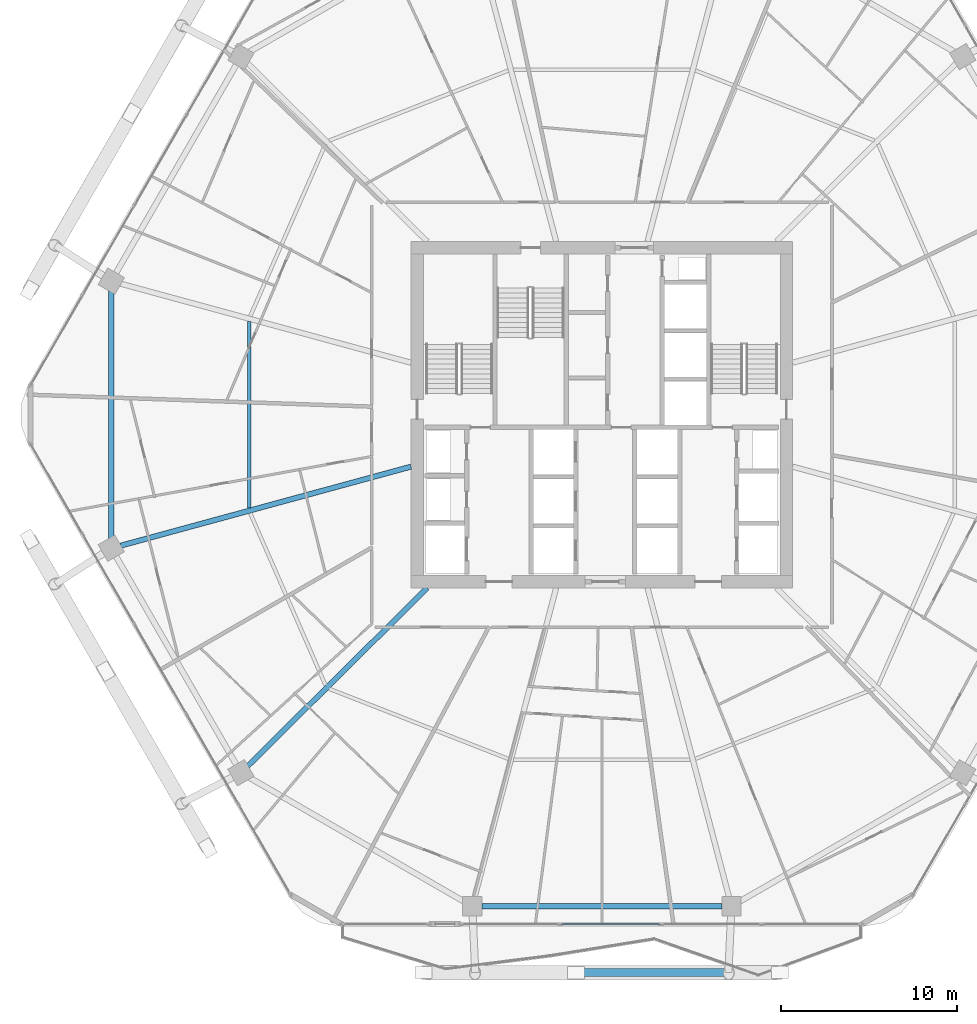
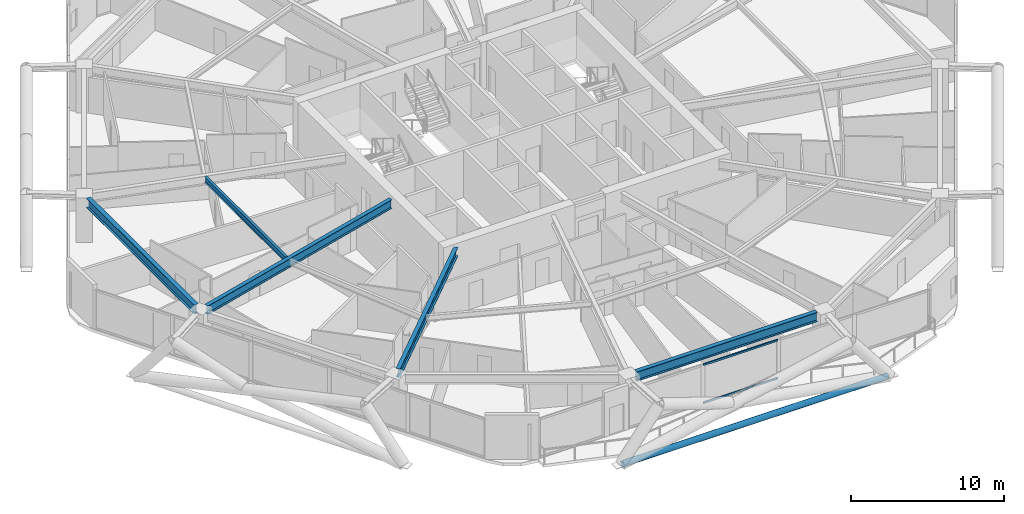
# One storey, part 7 of 35: 5 beams, 3 members, 1 element without a shape of its own.
"""IFC4 building model written with IfcOpenShell, lengths in metres."""

from ifc_helpers import new_model, si_unit, direction, frame, origin, origin_2d, place, context, subcontext, project, spatial, hollow_rectangle, hollow_circle, i_section, extrude, material, material_profile, profile_set, type_object, element, aggregate, save


model = new_model("IFC4")

# Units and contexts
model_context = context("Model", 3, precision=1e-05, world=origin(), true_north=direction((0.0, 1.0)))
body_context = subcontext(model_context, "Body", "Model", "MODEL_VIEW")
ifc_project = project(units=[si_unit("LENGTHUNIT", "METRE"), si_unit("AREAUNIT", "SQUARE_METRE"), si_unit("VOLUMEUNIT", "CUBIC_METRE"), si_unit("PLANEANGLEUNIT", "RADIAN"), si_unit("MASSUNIT", "GRAM", prefix="KILO")], contexts=[model_context])

# Site, building, storey
site_placement = place(None, origin())
site = spatial("IfcSite", under=ifc_project, at=site_placement, CompositionType="ELEMENT")
building_placement = place(site_placement, origin())
building = spatial("IfcBuilding", under=site, at=building_placement, Name="Zuhravey Tower", CompositionType="ELEMENT")
storey_placement = place(building_placement, frame((0.0, 0.0, 138.0)))
storey = spatial("IfcBuildingStorey", under=building, at=storey_placement, Name="L34", CompositionType="ELEMENT", Elevation=138.0)

# Curtain wall, members
ifc_material_1 = material(Name="Thermally broken anodised aluminium", Category="aluminium")
curtain_wall_type = type_object("IfcCurtainWallType", Name="Zone 1-2 Residential Curtain Wall CW3", PredefinedType="NOTDEFINED", material=ifc_material_1)
curtain_wall_placement = place(storey_placement, origin())
curtain_wall = element("IfcCurtainWall", 1, at=curtain_wall_placement, inside=storey, type_object=curtain_wall_type, Name="L34 CW3 CW-L34-F5-1", PredefinedType="NOTDEFINED")
ifc_material_2 = material(Name="Anodised aluminium", Category="aluminium")
ifc_material_profile_1 = material_profile(ifc_material_2, hollow_rectangle(XDim=0.090087890625, YDim=0.14990234375, WallThickness=0.0048828125, at=origin_2d()), Name="ALU-RHS-90x150x5")
ifc_profile_set_1 = profile_set([ifc_material_profile_1], Name="Anodised aluminium")
member_type_1 = type_object("IfcMemberType", Name="Curtain-Wall Transom 90x150", PredefinedType="USERDEFINED", material=ifc_profile_set_1)
member_1_placement = place(storey_placement, frame((39.319580078125, 3.04150390625, 0.044921875), z_axis=(-1.0, 0.0, 0.0), x_axis=(0.0, -1.0, 0.0)))
member_1 = element("IfcMember", 2, at=member_1_placement, type_object=member_type_1, Name="CW3 transom 3.1", ObjectType="TRANSOM", PredefinedType="USERDEFINED", context=body_context, shape_type="SweptSolid", body=[
    extrude(hollow_rectangle(XDim=0.090087890625, YDim=0.14990234375, WallThickness=0.0048828125, at=origin_2d()), origin(), (0.0, 0.0, 1.0), 5.62744140625),
])
member_2_placement = place(storey_placement, frame((39.319580078125, 3.04150390625, 3.076904296875), z_axis=(-1.0, 0.0, 0.0), x_axis=(0.0, -1.0, 0.0)))
member_2 = element("IfcMember", 3, at=member_2_placement, type_object=member_type_1, Name="CW3 transom 3.2", ObjectType="TRANSOM", PredefinedType="USERDEFINED", context=body_context, shape_type="SweptSolid", body=[
    extrude(hollow_rectangle(XDim=0.090087890625, YDim=0.14990234375, WallThickness=0.0048828125, at=origin_2d()), origin(), (0.0, 0.0, 1.0), 5.62744140625),
])
aggregate(curtain_wall, [member_1, member_2])

# Member
ifc_material_3 = material(Name="Steel SM355", Category="steel")
ifc_material_profile_2 = material_profile(ifc_material_3, hollow_circle(Radius=0.228515625, WallThickness=0.02197265625, at=origin_2d()), Name="CHS-457.2x22")
ifc_profile_set_2 = profile_set([ifc_material_profile_2], Name="Steel SM355")
member_type_2 = type_object("IfcMemberType", Name="Exoskeleton Ring Tie CHS457x22", PredefinedType="CHORD", material=ifc_profile_set_2)
member_3_placement = place(storey_placement, frame((26.003173828125, 0.281494140625, -0.464111328125), z_axis=(1.0, 0.0, 0.0), x_axis=(0.0, 1.0, 0.0)))
element("IfcMember", 4, at=member_3_placement, inside=storey, type_object=member_type_2, Name="L34 Exoskeleton Face 5 Tie EXR1", PredefinedType="CHORD", context=body_context, shape_type="SweptSolid", body=[
    extrude(hollow_circle(Radius=0.228515625, WallThickness=0.02197265625, at=origin_2d()), origin(), (0.0, 0.0, 1.0), 19.99365234375),
])

# Beams
ifc_material_profile_3 = material_profile(ifc_material_3, i_section(OverallWidth=0.320068359375, OverallDepth=0.75, WebThickness=0.013916015625, FlangeThickness=0.02490234375, at=origin_2d()), Name="H-750x320x14x25")
ifc_profile_set_3 = profile_set([ifc_material_profile_3], Name="Steel SM355")
beam_type_1 = type_object("IfcBeamType", Name="Perimeter Ring Beam H750x320", PredefinedType="BEAM", material=ifc_profile_set_3)
beam_1_placement = place(storey_placement, frame((8.11083984375, 39.03857421875, 3.175048828125), z_axis=(0.0, -1.0, 0.0), x_axis=(1.0, 0.0, 0.0)))
element("IfcBeam", 5, at=beam_1_placement, inside=storey, type_object=beam_type_1, Name="L34 PB1 BM-L34-PB-06", PredefinedType="BEAM", context=body_context, shape_type="SweptSolid", body=[
    extrude(i_section(OverallWidth=0.320068359375, OverallDepth=0.75, WebThickness=0.013916015625, FlangeThickness=0.02490234375, at=origin_2d()), origin(), (0.0, 0.0, 1.0), 14.0771484375),
])
beam_2_placement = place(storey_placement, frame((29.18310546875, 4.051513671875, 3.175048828125), z_axis=(1.0, 0.0, 0.0), x_axis=(0.0, 1.0, 0.0)))
element("IfcBeam", 6, at=beam_2_placement, inside=storey, type_object=beam_type_1, Name="L34 PB1 BM-L34-PB-09", PredefinedType="BEAM", context=body_context, shape_type="SweptSolid", body=[
    extrude(i_section(OverallWidth=0.320068359375, OverallDepth=0.75, WebThickness=0.013916015625, FlangeThickness=0.02490234375, at=origin_2d()), origin(), (0.0, 0.0, 1.0), 13.6337890625),
])
ifc_material_profile_4 = material_profile(ifc_material_3, i_section(OverallWidth=0.300048828125, OverallDepth=0.699951171875, WebThickness=0.012939453125, FlangeThickness=0.02392578125, at=origin_2d()), Name="H-700x300x13x24")
ifc_profile_set_4 = profile_set([ifc_material_profile_4], Name="Steel SM355")
beam_type_2 = type_object("IfcBeamType", Name="Radial Primary Girder H700x300", PredefinedType="BEAM", material=ifc_profile_set_4)
beam_3_placement = place(storey_placement, frame((25.14697265625, 29.045654296875, 3.199951171875), z_axis=(-0.964893166225, -0.262642680791, 0.0), x_axis=(0.262642680791, -0.964893166225, 0.0)))
element("IfcBeam", 7, at=beam_3_placement, inside=storey, type_object=beam_type_2, Name="L34 RG1 BM-L34-RAD-07", PredefinedType="BEAM", context=body_context, shape_type="SweptSolid", body=[
    extrude(i_section(OverallWidth=0.300048828125, OverallDepth=0.699951171875, WebThickness=0.012939453125, FlangeThickness=0.02392578125, at=origin_2d()), origin(), (0.0, 0.0, 1.0), 17.102783203125),
])
beam_4_placement = place(storey_placement, frame((26.068603515625, 22.14697265625, 3.199951171875), z_axis=(-0.709906230344, -0.704296204816, 0.0), x_axis=(0.704296204816, -0.709906230344, 0.0)))
element("IfcBeam", 8, at=beam_4_placement, inside=storey, type_object=beam_type_2, Name="L34 RG1 BM-L34-RAD-08", PredefinedType="BEAM", context=body_context, shape_type="SweptSolid", body=[
    extrude(i_section(OverallWidth=0.300048828125, OverallDepth=0.699951171875, WebThickness=0.012939453125, FlangeThickness=0.02392578125, at=origin_2d()), origin(), (0.0, 0.0, 1.0), 14.361083984375),
])
ifc_material_profile_5 = material_profile(ifc_material_3, i_section(OverallWidth=0.199951171875, OverallDepth=0.449951171875, WebThickness=0.009033203125, FlangeThickness=0.013916015625, at=origin_2d()), Name="H-450x200x9x14")
ifc_profile_set_5 = profile_set([ifc_material_profile_5], Name="Steel SM355")
beam_type_3 = type_object("IfcBeamType", Name="Secondary Floor Joist H450x200", PredefinedType="JOIST", material=ifc_profile_set_5)
beam_5_placement = place(storey_placement, frame((15.947509765625, 37.304443359375, 3.324951171875), z_axis=(0.0, -1.0, 0.0), x_axis=(1.0, 0.0, 0.0)))
element("IfcBeam", 9, at=beam_5_placement, inside=storey, type_object=beam_type_3, Name="L34 SJ1 BM-L34-SJ-06-1", PredefinedType="JOIST", context=body_context, shape_type="SweptSolid", body=[
    extrude(i_section(OverallWidth=0.199951171875, OverallDepth=0.449951171875, WebThickness=0.009033203125, FlangeThickness=0.013916015625, at=origin_2d()), origin(), (0.0, 0.0, 1.0), 10.60888671875),
])

save(model, "model.ifc")
